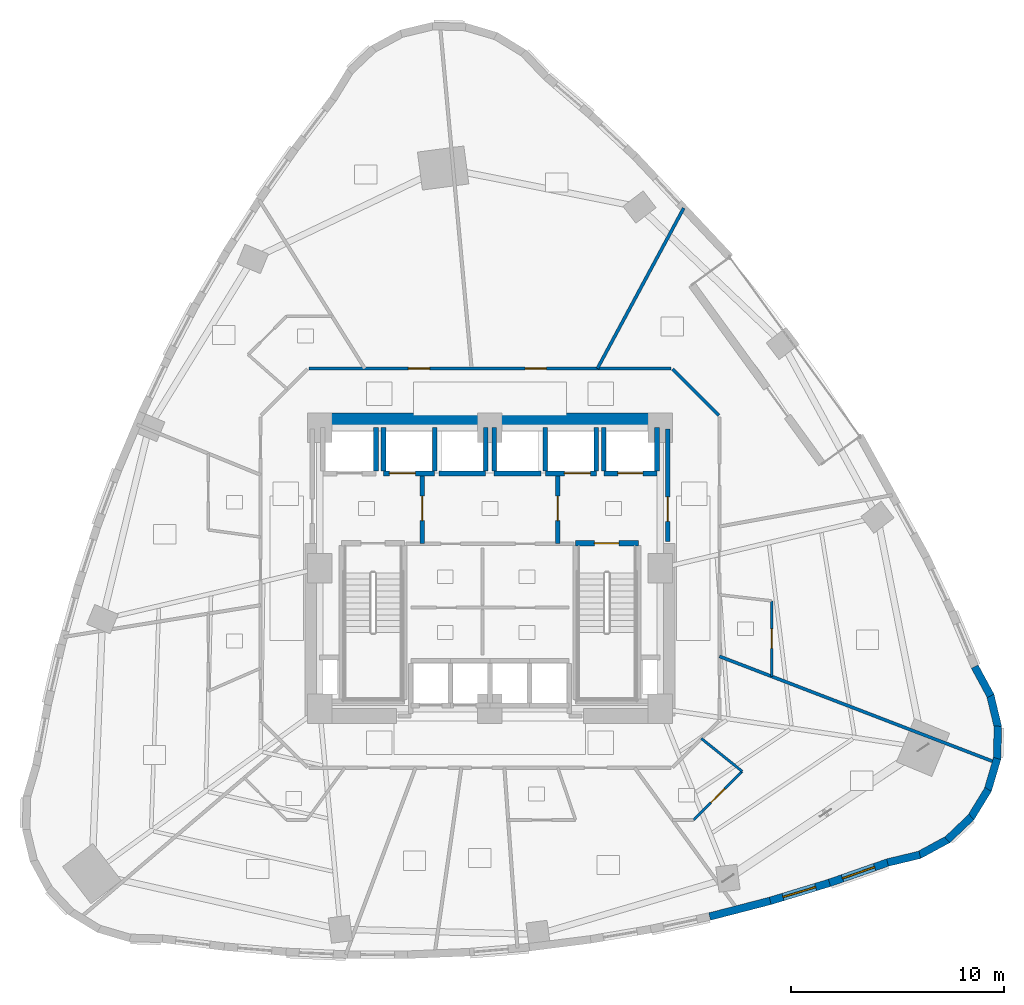
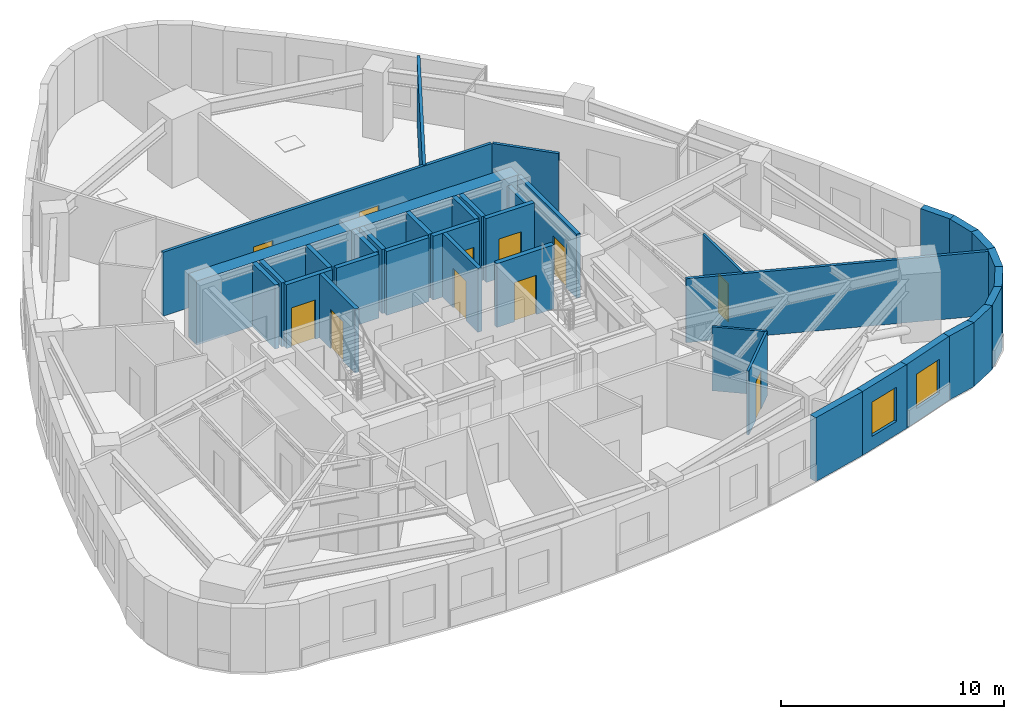
# One storey, part 11 of 15: 37 walls, 11 doors, 2 windows, 13 openings.
"""IFC4 building model written with IfcOpenShell, lengths in metres."""

import ifcopenshell
import ifcopenshell.guid

model = None  # the IFC model being written
_history = None  # IfcOwnerHistory: only IFC2X3 demands one
_inside = {}  # id of a spatial element -> (the spatial element, [elements in it])
_under = {}  # id of a project, library or spatial element -> (it, [spatial elements below it])
_declared = {}  # id of a project -> (the project, [libraries it declares])
_typed = {}  # id of a type object -> (the type object, [elements of that type])
_made_of = {}  # id of a material, layer set ... -> (it, [elements and type objects made of it])


def new_model(schema):
    """Start an empty IFC model of exactly this schema.

    Asked for "IFC4X3", IfcOpenShell would pick the latest addendum, in which some entities
    have other attributes; the version numbers below select the first issue.
    IFC2X3 requires an IfcOwnerHistory on every rooted entity: one is made here for all.
    """
    global model, _history
    if schema == "IFC4X3":
        model = ifcopenshell.file(schema_version=(4, 3, 0, 0))
    else:
        model = ifcopenshell.file(schema=schema)
    _inside.clear()
    _under.clear()
    _declared.clear()
    _typed.clear()
    _made_of.clear()
    _history = None
    if model.schema == "IFC2X3":
        org = make("IfcOrganization", Name="unknown")
        user = make(
            "IfcPersonAndOrganization",
            ThePerson=make("IfcPerson", FamilyName="unknown"),
            TheOrganization=org,
        )
        app = make(
            "IfcApplication",
            ApplicationDeveloper=org,
            Version="unknown",
            ApplicationFullName="unknown",
            ApplicationIdentifier="unknown",
        )
        _history = make(
            "IfcOwnerHistory",
            OwningUser=user,
            OwningApplication=app,
            ChangeAction="ADDED",
            CreationDate=0,
        )
    return model


def make(cls, **values):
    """One entity of the class cls with the attributes given. An attribute that is None is left unset."""
    return model.create_entity(
        cls, **{name: value for name, value in values.items() if value is not None}
    )


def rooted(cls, **values):
    """An entity with a GlobalId (a new one), such as an element, a storey or a relation."""
    return make(cls, GlobalId=ifcopenshell.guid.new(), OwnerHistory=_history, **values)


def si_unit(unit_type, name, prefix=None):
    """IfcSIUnit, for example si_unit("LENGTHUNIT", "METRE", prefix="MILLI")."""
    return make("IfcSIUnit", UnitType=unit_type, Prefix=prefix, Name=name)


def assignment(units):
    """IfcUnitAssignment: the units of a project."""
    return None if units is None else make("IfcUnitAssignment", Units=units)


def point(xyz):
    """IfcCartesianPoint."""
    return None if xyz is None else make("IfcCartesianPoint", Coordinates=xyz)


def direction(xyz):
    """IfcDirection."""
    return None if xyz is None else make("IfcDirection", DirectionRatios=xyz)


def frame(location, z_axis=None, x_axis=None):
    """IfcAxis2Placement3D, a coordinate frame: its origin and axes. An axis left out is left unset."""
    return make(
        "IfcAxis2Placement3D",
        Location=point(location),
        Axis=direction(z_axis),
        RefDirection=direction(x_axis),
    )


def frame_2d(location, x_axis=None):
    """IfcAxis2Placement2D, a coordinate frame in the plane: its origin and x axis."""
    return make(
        "IfcAxis2Placement2D", Location=point(location), RefDirection=direction(x_axis)
    )


def origin():
    """The frame at (0, 0, 0) with its axes left unset."""
    return frame((0.0, 0.0, 0.0))


def place(relative_to, where):
    """IfcLocalPlacement: puts the frame where relative to a parent placement (None: the world)."""
    return make(
        "IfcLocalPlacement", PlacementRelTo=relative_to, RelativePlacement=where
    )


def context(
    kind, dimensions, precision=None, world=None, true_north=None, identifier=None
):
    """IfcGeometricRepresentationContext, for example the 3D "Model" context."""
    return make(
        "IfcGeometricRepresentationContext",
        ContextIdentifier=identifier,
        ContextType=kind,
        CoordinateSpaceDimension=dimensions,
        Precision=precision,
        WorldCoordinateSystem=world,
        TrueNorth=true_north,
    )


def subcontext(parent, identifier, kind, view, scale=None):
    """IfcGeometricRepresentationSubContext, for example "Body" below "Model"."""
    return make(
        "IfcGeometricRepresentationSubContext",
        ContextIdentifier=identifier,
        ContextType=kind,
        ParentContext=parent,
        TargetScale=scale,
        TargetView=view,
    )


def project(units=None, contexts=None):
    """IfcProject with its units and contexts."""
    return rooted(
        "IfcProject",
        Name="project",
        RepresentationContexts=contexts,
        UnitsInContext=assignment(units),
    )


def spatial(cls, under=None, at=None, **own):
    """A site, building, storey or space (cls), placed at a placement, below another one or the project."""
    s = rooted(cls, ObjectPlacement=at, **own)
    if under is not None:
        _under.setdefault(under.id(), (under, []))[1].append(s)
    return s


def profile(cls, at=None, kind="AREA", **sizes):
    """A parametric profile (cls). Its sizes go by their IFC names, for example OverallWidth=200.0."""
    return make(cls, ProfileType=kind, Position=at, **sizes)


def rectangle(**sizes):
    """IfcRectangleProfileDef."""
    return profile("IfcRectangleProfileDef", **sizes)


def extrude(swept, where, along, depth):
    """IfcExtrudedAreaSolid: the profile swept, set in the frame where, extruded along a direction by depth."""
    return make(
        "IfcExtrudedAreaSolid",
        SweptArea=swept,
        Position=where,
        ExtrudedDirection=direction(along),
        Depth=depth,
    )


def shape(context_of_items, identifier, shape_type, items):
    """IfcShapeRepresentation: the items that make up one representation, for example the "Body"."""
    return make(
        "IfcShapeRepresentation",
        ContextOfItems=context_of_items,
        RepresentationIdentifier=identifier,
        RepresentationType=shape_type,
        Items=items,
    )


def material(Name=None, Category=None):
    """IfcMaterial."""
    return make("IfcMaterial", Name=Name, Category=Category)


def layer(
    of_material, thickness, ventilated=None, Name=None, Category=None, Priority=None
):
    """IfcMaterialLayer: one layer of a wall or slab, of a material (None: an air gap)."""
    return make(
        "IfcMaterialLayer",
        Material=of_material,
        LayerThickness=thickness,
        IsVentilated=ventilated,
        Name=Name,
        Category=Category,
        Priority=Priority,
    )


def layer_set(layers, Name=None):
    """IfcMaterialLayerSet."""
    return make("IfcMaterialLayerSet", MaterialLayers=layers, LayerSetName=Name)


def made_of(thing, what):
    """Note that an element or type object is made of a material, layer set ...; save() writes the relation."""
    if what is not None:
        _made_of.setdefault(what.id(), (what, []))[1].append(thing)
    return thing


def type_object(cls, material=None, **own):
    """A type object (cls), such as IfcWallType, which elements share."""
    return made_of(rooted(cls, **own), material)


def element(
    cls,
    number,
    at=None,
    inside=None,
    cuts=None,
    type_object=None,
    material=None,
    context=None,
    identifier="Body",
    shape_type=None,
    held_by="IfcProductDefinitionShape",
    body=None,
    shapes=None,
    **own,
):
    """One element of the class cls, such as IfcWall. Its Tag is "e" and its number.

    at: its placement. inside: the storey or other place that contains it. cuts: it is an
    opening in that element (IfcRelVoidsElement). A single representation is given by context,
    identifier, shape_type and body (its items); several are given by shapes. held_by: the class
    of the entity that holds the representations. save() writes the other relations.
    """
    e = rooted(cls, Tag="e%d" % number, ObjectPlacement=at, **own)
    if body is not None:
        shapes = [shape(context, identifier, shape_type, body)]
    if shapes is not None:
        e.Representation = make(held_by, Representations=shapes)
    if inside is not None:
        _inside.setdefault(inside.id(), (inside, []))[1].append(e)
    if cuts is not None:
        rooted(
            "IfcRelVoidsElement", RelatingBuildingElement=cuts, RelatedOpeningElement=e
        )
    if type_object is not None:
        _typed.setdefault(type_object.id(), (type_object, []))[1].append(e)
    return made_of(e, material)


def fill(opening, filler):
    """IfcRelFillsElement: the door or window that sits in an opening."""
    return rooted(
        "IfcRelFillsElement",
        RelatingOpeningElement=opening,
        RelatedBuildingElement=filler,
    )


def aggregate(whole, parts):
    """IfcRelAggregates: a whole, such as a stair, and the parts it consists of."""
    return rooted("IfcRelAggregates", RelatingObject=whole, RelatedObjects=parts)


def save(model, path):
    """Write the relations noted so far, then the file.

    IfcRelAggregates (storeys below a building ...), IfcRelContainedInSpatialStructure (elements
    in a storey), IfcRelDefinesByType, IfcRelAssociatesMaterial and IfcRelDeclares: one each for
    every whole, place, type object, material and project.
    """
    for whole, parts in _under.values():
        aggregate(whole, parts)
    for where, things in _inside.values():
        rooted(
            "IfcRelContainedInSpatialStructure",
            RelatedElements=things,
            RelatingStructure=where,
        )
    for kind, things in _typed.values():
        rooted("IfcRelDefinesByType", RelatedObjects=things, RelatingType=kind)
    for what, things in _made_of.values():
        rooted("IfcRelAssociatesMaterial", RelatedObjects=things, RelatingMaterial=what)
    for by, libraries in _declared.values():
        rooted("IfcRelDeclares", RelatingContext=by, RelatedDefinitions=libraries)
    model.write(path)


model = new_model("IFC4")

# Units and contexts
model_context = context("Model", 3, precision=1e-05, world=origin(), true_north=direction((0.0, 1.0)))
body_context = subcontext(model_context, "Body", "Model", "MODEL_VIEW")
ifc_project = project(units=[si_unit("LENGTHUNIT", "METRE"), si_unit("AREAUNIT", "SQUARE_METRE"), si_unit("VOLUMEUNIT", "CUBIC_METRE"), si_unit("PLANEANGLEUNIT", "RADIAN"), si_unit("MASSUNIT", "GRAM", prefix="KILO")], contexts=[model_context])

# Site, building, storey
site_placement = place(None, origin())
site = spatial("IfcSite", under=ifc_project, at=site_placement, CompositionType="ELEMENT")
building_placement = place(site_placement, origin())
building = spatial("IfcBuilding", under=site, at=building_placement, Name="Ndelora Gate Hotel", CompositionType="ELEMENT")
storey_placement = place(building_placement, frame((0.0, 0.0, 56.75)))
storey = spatial("IfcBuildingStorey", under=building, at=storey_placement, Name="L13", CompositionType="ELEMENT", Elevation=56.75)

# Wall
ifc_material_1 = material(Name="Clay Brick Masonry", Category="masonry")
ifc_layer_1 = layer(ifc_material_1, 0.360107421875)
ifc_layer_set_1 = layer_set([ifc_layer_1], Name="Clay Brick Masonry")
wall_type_1 = type_object("IfcWallType", Name="WL-BRICK-360", PredefinedType="SOLIDWALL", material=ifc_layer_set_1)
wall_1_placement = place(storey_placement, frame((13.1669921875, -15.631591796875, 0.0), z_axis=(0.0, 0.0, 1.0), x_axis=(-0.968087209766, -0.250613555675, 0.0)))
element("IfcWall", 1, at=wall_1_placement, inside=storey, type_object=wall_type_1, Name="L13 Tower Brick Pier-and-Spandrel Wall TWR-38", PredefinedType="SOLIDWALL", context=body_context, shape_type="SweptSolid", body=[
    extrude(rectangle(XDim=2.94091796875, YDim=0.360107421875, at=frame_2d((1.470458984375, 0.0))), origin(), (0.0, 0.0, 1.0), 3.5),
])

# Wall, opening, window
wall_2_placement = place(storey_placement, frame((15.952392578125, -14.784912109375, 0.0), z_axis=(0.0, 0.0, 1.0), x_axis=(-0.956863387773, -0.290538219758, 0.0)))
wall_2 = element("IfcWall", 2, at=wall_2_placement, inside=storey, type_object=wall_type_1, Name="L13 Tower Brick Pier-and-Spandrel Wall TWR-39", PredefinedType="SOLIDWALL", context=body_context, shape_type="SweptSolid", body=[
    extrude(rectangle(XDim=2.961181640625, YDim=0.360107421875, at=frame_2d((1.48046875, 0.0))), origin(), (0.0, 0.0, 1.0), 3.5),
])
opening_1_placement = place(wall_2_placement, frame((0.6806640625, 0.0, 0.719970703125)))
opening_1 = element("IfcOpeningElement", 3, at=opening_1_placement, cuts=wall_2, Name="Opening W01", PredefinedType="OPENING", context=body_context, shape_type="SweptSolid", body=[
    extrude(rectangle(XDim=1.60009765625, YDim=1.8798828125, at=frame_2d((0.800048828125, 0.93994140625))), frame((0.0, 0.18994140625, 0.0), z_axis=(0.0, -1.0, 0.0), x_axis=(1.0, 0.0, 0.0)), (0.0, 0.0, 1.0), 0.380126953125),
])
ifc_material_2 = material(Name="Insulated Low-E Double Glazing in Bronze Aluminium Frame", Category="aluminium")
window_type = type_object("IfcWindowType", Name="WN-DEEP-1600", PartitioningType="SINGLE_PANEL", PredefinedType="WINDOW", material=ifc_material_2)
window_1_placement = place(opening_1_placement, origin())
window_1 = element("IfcWindow", 4, at=window_1_placement, inside=storey, type_object=window_type, Name="L13 Deep-Set Brick-Pier Window W01", OverallHeight=1.8798828125, OverallWidth=1.60009765625, PartitioningType="SINGLE_PANEL", PredefinedType="WINDOW", context=body_context, shape_type="SweptSolid", body=[
    extrude(rectangle(XDim=1.60009765625, YDim=1.8798828125, at=frame_2d((0.800048828125, 0.93994140625))), frame((0.0, 0.030029296875, 0.0), z_axis=(0.0, -1.0, 0.0), x_axis=(1.0, 0.0, 0.0)), (0.0, 0.0, 1.0), 0.06005859375),
])
fill(opening_1, window_1)

wall_3_placement = place(storey_placement, frame((18.72509765625, -13.816650390625, 0.0), z_axis=(0.0, 0.0, 1.0), x_axis=(-0.944210822491, -0.329341650404, 0.0)))
wall_3 = element("IfcWall", 5, at=wall_3_placement, inside=storey, type_object=wall_type_1, Name="L13 Tower Brick Pier-and-Spandrel Wall TWR-40", PredefinedType="SOLIDWALL", context=body_context, shape_type="SweptSolid", body=[
    extrude(rectangle(XDim=2.986572265625, YDim=0.360107421875, at=frame_2d((1.4931640625, 0.0))), origin(), (0.0, 0.0, 1.0), 3.5),
])
opening_2_placement = place(wall_3_placement, frame((0.693603515625, 0.0, 0.719970703125)))
opening_2 = element("IfcOpeningElement", 6, at=opening_2_placement, cuts=wall_3, Name="Opening W01", PredefinedType="OPENING", context=body_context, shape_type="SweptSolid", body=[
    extrude(rectangle(XDim=1.60009765625, YDim=1.8798828125, at=frame_2d((0.800048828125, 0.93994140625))), frame((0.0, 0.18994140625, 0.0), z_axis=(0.0, -1.0, 0.0), x_axis=(1.0, 0.0, 0.0)), (0.0, 0.0, 1.0), 0.380126953125),
])
window_2_placement = place(opening_2_placement, origin())
window_2 = element("IfcWindow", 7, at=window_2_placement, inside=storey, type_object=window_type, Name="L13 Deep-Set Brick-Pier Window W01", OverallHeight=1.8798828125, OverallWidth=1.60009765625, PartitioningType="SINGLE_PANEL", PredefinedType="WINDOW", context=body_context, shape_type="SweptSolid", body=[
    extrude(rectangle(XDim=1.60009765625, YDim=1.8798828125, at=frame_2d((0.800048828125, 0.93994140625))), frame((0.0, 0.030029296875, 0.0), z_axis=(0.0, -1.0, 0.0), x_axis=(1.0, 0.0, 0.0)), (0.0, 0.0, 1.0), 0.06005859375),
])
fill(opening_2, window_2)

# Walls
for number, where, z_axis, x_axis, name in (
    (8, (20.1982421875, -13.465576171875, 0.0), (0.0, 0.0, 1.0), (-0.972394385461, -0.233343435998, 0.0), "L13 Tower Brick Pier-and-Spandrel Wall TWR-41"),
    (9, (21.526611328125, -12.737060546875, 0.0), (0.0, 0.0, 1.0), (-0.87890765181, -0.476991970153, 0.0), "L13 Tower Brick Pier-and-Spandrel Wall TWR-42"),
):
    element("IfcWall", number, at=place(storey_placement, frame(where, z_axis=z_axis, x_axis=x_axis)), inside=storey, type_object=wall_type_1, Name=name, PredefinedType="SOLIDWALL", context=body_context, shape_type="SweptSolid", body=[
        extrude(rectangle(XDim=1.564208984375, YDim=0.360107421875, at=frame_2d((0.7822265625, 0.0))), origin(), (0.0, 0.0, 1.0), 3.5),
    ])
for number, where, z_axis, x_axis, name in (
    (10, (22.620849609375, -11.689453125, 0.0), (0.0, 0.0, 1.0), (-0.725361771345, -0.688367852729, 0.0), "L13 Tower Brick Pier-and-Spandrel Wall TWR-43"),
    (11, (23.406982421875, -10.394287109375, 0.0), (0.0, 0.0, 1.0), (-0.522598660144, -0.852578817714, 0.0), "L13 Tower Brick Pier-and-Spandrel Wall TWR-44"),
):
    element("IfcWall", number, at=place(storey_placement, frame(where, z_axis=z_axis, x_axis=x_axis)), inside=storey, type_object=wall_type_1, Name=name, PredefinedType="SOLIDWALL", context=body_context, shape_type="SweptSolid", body=[
        extrude(rectangle(XDim=1.56396484375, YDim=0.360107421875, at=frame_2d((0.781982421875, 0.0))), origin(), (0.0, 0.0, 1.0), 3.5),
    ])
for number, where, z_axis, x_axis, name in (
    (12, (23.8310546875, -8.93994140625, 0.0), (0.0, 0.0, 1.0), (-0.284067072714, -0.958804410816, 0.0), "L13 Tower Brick Pier-and-Spandrel Wall TWR-45"),
    (13, (23.8642578125, -7.42529296875, 0.0), (0.0, 0.0, 1.0), (-0.026220490068, -0.999656183846, 0.0), "L13 Tower Brick Pier-and-Spandrel Wall TWR-46"),
    (14, (23.50439453125, -5.95361328125, 0.0), (0.0, 0.0, 1.0), (0.233343435998, -0.972394385461, 0.0), "L13 Tower Brick Pier-and-Spandrel Wall TWR-47"),
):
    element("IfcWall", number, at=place(storey_placement, frame(where, z_axis=z_axis, x_axis=x_axis)), inside=storey, type_object=wall_type_1, Name=name, PredefinedType="SOLIDWALL", context=body_context, shape_type="SweptSolid", body=[
        extrude(rectangle(XDim=1.564208984375, YDim=0.360107421875, at=frame_2d((0.7822265625, 0.0))), origin(), (0.0, 0.0, 1.0), 3.5),
    ])
wall_4_placement = place(storey_placement, frame((22.77587890625, -4.62548828125, 0.0), z_axis=(0.0, 0.0, 1.0), x_axis=(0.477057413098, -0.878872132115, 0.0)))
element("IfcWall", 15, at=wall_4_placement, inside=storey, type_object=wall_type_1, Name="L13 Tower Brick Pier-and-Spandrel Wall TWR-48", PredefinedType="SOLIDWALL", context=body_context, shape_type="SweptSolid", body=[
    extrude(rectangle(XDim=1.56396484375, YDim=0.360107421875, at=frame_2d((0.781982421875, 0.0))), origin(), (0.0, 0.0, 1.0), 3.5),
])
ifc_material_3 = material(Name="Concrete C60/75", Category="concrete")
ifc_layer_2 = layer(ifc_material_3, 0.699951171875)
ifc_layer_set_2 = layer_set([ifc_layer_2], Name="Concrete C60/75")
wall_type_2 = type_object("IfcWallType", Name="WL-CORE-700", PredefinedType="SHEAR", material=ifc_layer_set_2)
wall_5_placement = place(storey_placement, frame((-8.35009765625, 6.949951171875, 0.0), z_axis=(0.0, 0.0, 1.0), x_axis=(1.0, 0.0, 0.0)))
element("IfcWall", 16, at=wall_5_placement, inside=storey, type_object=wall_type_2, Name="L13 Core Shear Wall N", PredefinedType="SHEAR", context=body_context, shape_type="SweptSolid", body=[
    extrude(rectangle(XDim=16.7001953125, YDim=0.699951171875, at=frame_2d((8.35009765625, 0.0))), origin(), (0.0, 0.0, 1.0), 3.5),
])

# Wall, opening, door
ifc_material_4 = material(Name="Concrete C40/50", Category="concrete")
ifc_layer_3 = layer(ifc_material_4, 0.199951171875)
ifc_layer_set_3 = layer_set([ifc_layer_3], Name="Concrete C40/50")
wall_type_3 = type_object("IfcWallType", Name="WL-FIRE-200", PredefinedType="PARTITIONING", material=ifc_layer_set_3)
wall_6_placement = place(storey_placement, frame((-3.179931640625, 1.14990234375, 0.0), z_axis=(0.0, 0.0, 1.0), x_axis=(0.0, 1.0, 0.0)))
wall_6 = element("IfcWall", 17, at=wall_6_placement, inside=storey, type_object=wall_type_3, Name="L13 Interior Wall IW-2", PredefinedType="PARTITIONING", context=body_context, shape_type="SweptSolid", body=[
    extrude(rectangle(XDim=3.300048828125, YDim=0.199951171875, at=frame_2d((1.64990234375, 0.0))), origin(), (0.0, 0.0, 1.0), 3.5),
])
opening_3_placement = place(wall_6_placement, frame((1.080078125, 0.0, 0.0)))
opening_3 = element("IfcOpeningElement", 18, at=opening_3_placement, cuts=wall_6, Name="Opening FD1", PredefinedType="OPENING", context=body_context, shape_type="SweptSolid", body=[
    extrude(rectangle(XDim=1.14990234375, YDim=2.14990234375, at=frame_2d((0.574951171875, 1.074951171875))), frame((0.0, 0.10986328125, 0.0), z_axis=(0.0, -1.0, 0.0), x_axis=(1.0, 0.0, 0.0)), (0.0, 0.0, 1.0), 0.219970703125),
])
ifc_material_5 = material(Name="Fire-Rated Timber-Veneer Steel Core", Category="steel")
door_type_1 = type_object("IfcDoorType", Name="DR-FD60", OperationType="SINGLE_SWING_LEFT", PredefinedType="DOOR", material=ifc_material_5)
door_1_placement = place(opening_3_placement, origin())
door_1 = element("IfcDoor", 19, at=door_1_placement, inside=storey, type_object=door_type_1, Name="L13 Firefighting Lobby West Door", OperationType="SINGLE_SWING_RIGHT", OverallHeight=2.14990234375, OverallWidth=1.14990234375, PredefinedType="DOOR", context=body_context, shape_type="SweptSolid", body=[
    extrude(rectangle(XDim=1.14990234375, YDim=2.14990234375, at=frame_2d((0.574951171875, 1.074951171875))), frame((0.0, 0.02490234375, 0.0), z_axis=(0.0, -1.0, 0.0), x_axis=(1.0, 0.0, 0.0)), (0.0, 0.0, 1.0), 0.050048828125),
])
fill(opening_3, door_1)

wall_7_placement = place(storey_placement, frame((3.179931640625, 1.14990234375, 0.0), z_axis=(0.0, 0.0, 1.0), x_axis=(0.0, 1.0, 0.0)))
wall_7 = element("IfcWall", 20, at=wall_7_placement, inside=storey, type_object=wall_type_3, Name="L13 Interior Wall IW-2", PredefinedType="PARTITIONING", context=body_context, shape_type="SweptSolid", body=[
    extrude(rectangle(XDim=3.300048828125, YDim=0.199951171875, at=frame_2d((1.64990234375, 0.0))), origin(), (0.0, 0.0, 1.0), 3.5),
])
opening_4_placement = place(wall_7_placement, frame((1.080078125, 0.0, 0.0)))
opening_4 = element("IfcOpeningElement", 21, at=opening_4_placement, cuts=wall_7, Name="Opening FD1", PredefinedType="OPENING", context=body_context, shape_type="SweptSolid", body=[
    extrude(rectangle(XDim=1.14990234375, YDim=2.14990234375, at=frame_2d((0.574951171875, 1.074951171875))), frame((0.0, 0.10986328125, 0.0), z_axis=(0.0, -1.0, 0.0), x_axis=(1.0, 0.0, 0.0)), (0.0, 0.0, 1.0), 0.219970703125),
])
door_2_placement = place(opening_4_placement, origin())
door_2 = element("IfcDoor", 22, at=door_2_placement, inside=storey, type_object=door_type_1, Name="L13 Firefighting Lobby East Door", OperationType="SINGLE_SWING_LEFT", OverallHeight=2.14990234375, OverallWidth=1.14990234375, PredefinedType="DOOR", context=body_context, shape_type="SweptSolid", body=[
    extrude(rectangle(XDim=1.14990234375, YDim=2.14990234375, at=frame_2d((0.574951171875, 1.074951171875))), frame((0.0, 0.02490234375, 0.0), z_axis=(0.0, -1.0, 0.0), x_axis=(1.0, 0.0, 0.0)), (0.0, 0.0, 1.0), 0.050048828125),
])
fill(opening_4, door_2)

wall_8_placement = place(storey_placement, frame((8.35009765625, 1.25, 0.0), z_axis=(0.0, 0.0, 1.0), x_axis=(0.0, 1.0, 0.0)))
wall_8 = element("IfcWall", 23, at=wall_8_placement, inside=storey, type_object=wall_type_3, Name="L13 Interior Wall IW-2", PredefinedType="PARTITIONING", context=body_context, shape_type="SweptSolid", body=[
    extrude(rectangle(XDim=5.300048828125, YDim=0.199951171875, at=frame_2d((2.64990234375, 0.0))), origin(), (0.0, 0.0, 1.0), 3.5),
])
opening_5_placement = place(wall_8_placement, frame((0.949951171875, 0.0, 0.0)))
opening_5 = element("IfcOpeningElement", 24, at=opening_5_placement, cuts=wall_8, Name="Opening FD1", PredefinedType="OPENING", context=body_context, shape_type="SweptSolid", body=[
    extrude(rectangle(XDim=1.14990234375, YDim=2.14990234375, at=frame_2d((0.574951171875, 1.074951171875))), frame((0.0, 0.10986328125, 0.0), z_axis=(0.0, -1.0, 0.0), x_axis=(1.0, 0.0, 0.0)), (0.0, 0.0, 1.0), 0.219970703125),
])
door_3_placement = place(opening_5_placement, origin())
door_3 = element("IfcDoor", 25, at=door_3_placement, inside=storey, type_object=door_type_1, Name="L13 Firefighting Lobby East Corridor Door", OperationType="SINGLE_SWING_RIGHT", OverallHeight=2.14990234375, OverallWidth=1.14990234375, PredefinedType="DOOR", context=body_context, shape_type="SweptSolid", body=[
    extrude(rectangle(XDim=1.14990234375, YDim=2.14990234375, at=frame_2d((0.574951171875, 1.074951171875))), frame((0.0, 0.02490234375, 0.0), z_axis=(0.0, -1.0, 0.0), x_axis=(1.0, 0.0, 0.0)), (0.0, 0.0, 1.0), 0.050048828125),
])
fill(opening_5, door_3)

# Wall
ifc_material_6 = material(Name="Fire-Rated Gypsum Stud Partition", Category="gypsum")
ifc_layer_4 = layer(ifc_material_6, 0.14990234375)
ifc_layer_set_4 = layer_set([ifc_layer_4], Name="Fire-Rated Gypsum Stud Partition")
wall_type_4 = type_object("IfcWallType", Name="WL-PART-150", PredefinedType="PARTITIONING", material=ifc_layer_set_4)
wall_9_placement = place(storey_placement, frame((8.578369140625, 9.351806640625, 0.0), z_axis=(0.0, 0.0, 1.0), x_axis=(0.707067066127, -0.707146494016, 0.0)))
element("IfcWall", 26, at=wall_9_placement, inside=storey, type_object=wall_type_4, Name="L13 Interior Wall IW-5", PredefinedType="PARTITIONING", context=body_context, shape_type="SweptSolid", body=[
    extrude(rectangle(XDim=3.07373046875, YDim=0.14990234375, at=frame_2d((1.536865234375, 0.0))), origin(), (0.0, 0.0, 1.0), 3.5),
])

# Wall, openings, doors
wall_10_placement = place(storey_placement, frame((-8.510009765625, 9.3798828125, 0.0), z_axis=(0.0, 0.0, 1.0), x_axis=(1.0, 0.0, 0.0)))
wall_10 = element("IfcWall", 27, at=wall_10_placement, inside=storey, type_object=wall_type_4, Name="L13 Interior Wall IW-5", PredefinedType="PARTITIONING", context=body_context, shape_type="SweptSolid", body=[
    extrude(rectangle(XDim=17.02001953125, YDim=0.14990234375, at=frame_2d((8.510009765625, 0.0))), origin(), (0.0, 0.0, 1.0), 3.5),
])
opening_6_placement = place(wall_10_placement, frame((4.673583984375, 0.0, 0.0)))
opening_6 = element("IfcOpeningElement", 28, at=opening_6_placement, cuts=wall_10, Name="Opening D01", PredefinedType="OPENING", context=body_context, shape_type="SweptSolid", body=[
    extrude(rectangle(XDim=1.0, YDim=2.14990234375, at=frame_2d((0.5, 1.074951171875))), frame((0.0, 0.0849609375, 0.0), z_axis=(0.0, -1.0, 0.0), x_axis=(1.0, 0.0, 0.0)), (0.0, 0.0, 1.0), 0.169921875),
])
opening_7_placement = place(wall_10_placement, frame((10.1630859375, 0.0, 0.0)))
opening_7 = element("IfcOpeningElement", 29, at=opening_7_placement, cuts=wall_10, Name="Opening D01", PredefinedType="OPENING", context=body_context, shape_type="SweptSolid", body=[
    extrude(rectangle(XDim=1.0, YDim=2.14990234375, at=frame_2d((0.5, 1.074951171875))), frame((0.0, 0.0849609375, 0.0), z_axis=(0.0, -1.0, 0.0), x_axis=(1.0, 0.0, 0.0)), (0.0, 0.0, 1.0), 0.169921875),
])
ifc_material_7 = material(Name="Acoustic Hardwood Guest Entrance Door", Category="wood")
door_type_2 = type_object("IfcDoorType", Name="DR-COR-1000", OperationType="SINGLE_SWING_LEFT", PredefinedType="DOOR", material=ifc_material_7)
door_4_placement = place(opening_6_placement, origin())
door_4 = element("IfcDoor", 30, at=door_4_placement, inside=storey, type_object=door_type_2, Name="L13 Catering Service Kitchen Entrance Door", OperationType="SINGLE_SWING_LEFT", OverallHeight=2.14990234375, OverallWidth=1.0, PredefinedType="DOOR", context=body_context, shape_type="SweptSolid", body=[
    extrude(rectangle(XDim=1.0, YDim=2.14990234375, at=frame_2d((0.5, 1.074951171875))), frame((0.0, 0.02490234375, 0.0), z_axis=(0.0, -1.0, 0.0), x_axis=(1.0, 0.0, 0.0)), (0.0, 0.0, 1.0), 0.050048828125),
])
fill(opening_6, door_4)
door_5_placement = place(opening_7_placement, origin())
door_5 = element("IfcDoor", 31, at=door_5_placement, inside=storey, type_object=door_type_2, Name="L13 Private Dining Room Entrance Door", OperationType="SINGLE_SWING_LEFT", OverallHeight=2.14990234375, OverallWidth=1.0, PredefinedType="DOOR", context=body_context, shape_type="SweptSolid", body=[
    extrude(rectangle(XDim=1.0, YDim=2.14990234375, at=frame_2d((0.5, 1.074951171875))), frame((0.0, 0.02490234375, 0.0), z_axis=(0.0, -1.0, 0.0), x_axis=(1.0, 0.0, 0.0)), (0.0, 0.0, 1.0), 0.050048828125),
])
fill(opening_7, door_5)

# Walls
wall_11_placement = place(storey_placement, frame((10.780029296875, -4.14208984375, 0.0), z_axis=(0.0, 0.0, 1.0), x_axis=(0.933466701783, -0.358664072166, 0.0)))
element("IfcWall", 32, at=wall_11_placement, inside=storey, type_object=wall_type_4, Name="L13 Interior Wall IW-5", PredefinedType="PARTITIONING", context=body_context, shape_type="SweptSolid", body=[
    extrude(rectangle(XDim=13.91943359375, YDim=0.14990234375, at=frame_2d((6.959716796875, 0.0))), origin(), (0.0, 0.0, 1.0), 3.5),
])
wall_12_placement = place(storey_placement, frame((5.047607421875, 9.3798828125, 0.0), z_axis=(0.0, 0.0, 1.0), x_axis=(0.473842892952, 0.880609398541, 0.0)))
element("IfcWall", 33, at=wall_12_placement, inside=storey, type_object=wall_type_4, Name="L13 Interior Wall IW-5", PredefinedType="PARTITIONING", context=body_context, shape_type="SweptSolid", body=[
    extrude(rectangle(XDim=8.55712890625, YDim=0.14990234375, at=frame_2d((4.278564453125, 0.0))), origin(), (0.0, 0.0, 1.0), 3.5),
])
ifc_layer_5 = layer(ifc_material_4, 0.219970703125)
ifc_layer_set_5 = layer_set([ifc_layer_5], Name="Concrete C40/50")
wall_type_5 = type_object("IfcWallType", Name="WL-SHAFT-220", PredefinedType="PARTITIONING", material=ifc_layer_set_5)
wall_13_placement = place(storey_placement, frame((-5.35009765625, 4.570068359375, 0.0), z_axis=(0.0, 0.0, 1.0), x_axis=(0.0, 1.0, 0.0)))
element("IfcWall", 34, at=wall_13_placement, inside=storey, type_object=wall_type_5, Name="L13 Interior Wall IW-1", PredefinedType="PARTITIONING", context=body_context, shape_type="SweptSolid", body=[
    extrude(rectangle(XDim=2.030029296875, YDim=0.219970703125, at=frame_2d((1.01513671875, 0.0))), origin(), (0.0, 0.0, 1.0), 3.5),
])

# Wall, opening, door
wall_14_placement = place(storey_placement, frame((5.35009765625, 4.449951171875, 0.0), z_axis=(0.0, 0.0, 1.0), x_axis=(1.0, 0.0, 0.0)))
wall_14 = element("IfcWall", 35, at=wall_14_placement, inside=storey, type_object=wall_type_5, Name="L13 Interior Wall IW-1", PredefinedType="PARTITIONING", context=body_context, shape_type="SweptSolid", body=[
    extrude(rectangle(XDim=2.5, YDim=0.219970703125, at=frame_2d((1.25, 0.0))), origin(), (0.0, 0.0, 1.0), 3.5),
])
opening_8_placement = place(wall_14_placement, frame((0.659912109375, 0.0, 0.0)))
opening_8 = element("IfcOpeningElement", 36, at=opening_8_placement, cuts=wall_14, Name="Opening LD5", PredefinedType="OPENING", context=body_context, shape_type="SweptSolid", body=[
    extrude(rectangle(XDim=1.179931640625, YDim=2.14990234375, at=frame_2d((0.58984375, 1.074951171875))), frame((0.0, 0.1201171875, 0.0), z_axis=(0.0, -1.0, 0.0), x_axis=(1.0, 0.0, 0.0)), (0.0, 0.0, 1.0), 0.239990234375),
])
ifc_material_8 = material(Name="Firefighting Lift Stainless Sliding Landing Door", Category="metal")
door_type_3 = type_object("IfcDoorType", Name="DR-LD5", OperationType="DOUBLE_DOOR_SLIDING", PredefinedType="DOOR", material=ifc_material_8)
door_6_placement = place(opening_8_placement, origin())
door_6 = element("IfcDoor", 37, at=door_6_placement, inside=storey, type_object=door_type_3, Name="L13 Lift Landing Sliding Door FFL2", OperationType="DOUBLE_DOOR_SLIDING", OverallHeight=2.14990234375, OverallWidth=1.179931640625, PredefinedType="DOOR", context=body_context, shape_type="SweptSolid", body=[
    extrude(rectangle(XDim=1.179931640625, YDim=2.14990234375, at=frame_2d((0.58984375, 1.074951171875))), frame((0.0, 0.02490234375, 0.0), z_axis=(0.0, -1.0, 0.0), x_axis=(1.0, 0.0, 0.0)), (0.0, 0.0, 1.0), 0.050048828125),
])
fill(opening_8, door_6)

# Walls
wall_15_placement = place(storey_placement, frame((5.35009765625, 4.570068359375, 0.0), z_axis=(0.0, 0.0, 1.0), x_axis=(0.0, 1.0, 0.0)))
element("IfcWall", 38, at=wall_15_placement, inside=storey, type_object=wall_type_5, Name="L13 Interior Wall IW-1", PredefinedType="PARTITIONING", context=body_context, shape_type="SweptSolid", body=[
    extrude(rectangle(XDim=2.030029296875, YDim=0.219970703125, at=frame_2d((1.01513671875, 0.0))), origin(), (0.0, 0.0, 1.0), 3.5),
])
wall_16_placement = place(storey_placement, frame((7.85009765625, 4.570068359375, 0.0), z_axis=(0.0, 0.0, 1.0), x_axis=(0.0, 1.0, 0.0)))
element("IfcWall", 39, at=wall_16_placement, inside=storey, type_object=wall_type_5, Name="L13 Interior Wall IW-1", PredefinedType="PARTITIONING", context=body_context, shape_type="SweptSolid", body=[
    extrude(rectangle(XDim=2.030029296875, YDim=0.219970703125, at=frame_2d((1.01513671875, 0.0))), origin(), (0.0, 0.0, 1.0), 3.080078125),
])

# Wall, opening, door
wall_17_placement = place(storey_placement, frame((-5.0, 4.449951171875, 0.0), z_axis=(0.0, 0.0, 1.0), x_axis=(1.0, 0.0, 0.0)))
wall_17 = element("IfcWall", 40, at=wall_17_placement, inside=storey, type_object=wall_type_5, Name="L13 Interior Wall IW-1", PredefinedType="PARTITIONING", context=body_context, shape_type="SweptSolid", body=[
    extrude(rectangle(XDim=2.39990234375, YDim=0.219970703125, at=frame_2d((1.199951171875, 0.0))), origin(), (0.0, 0.0, 1.0), 3.5),
])
opening_9_placement = place(wall_17_placement, frame((0.280029296875, 0.0, 0.0)))
opening_9 = element("IfcOpeningElement", 41, at=opening_9_placement, cuts=wall_17, Name="Opening LD6", PredefinedType="OPENING", context=body_context, shape_type="SweptSolid", body=[
    extrude(rectangle(XDim=1.219970703125, YDim=2.14990234375, at=frame_2d((0.60986328125, 1.074951171875))), frame((0.0, 0.1201171875, 0.0), z_axis=(0.0, -1.0, 0.0), x_axis=(1.0, 0.0, 0.0)), (0.0, 0.0, 1.0), 0.239990234375),
])
ifc_material_9 = material(Name="Heavy-Duty Service Lift Sliding Landing Door", Category="wood")
door_type_4 = type_object("IfcDoorType", Name="DR-LD6", OperationType="DOUBLE_DOOR_SLIDING", PredefinedType="DOOR", material=ifc_material_9)
door_7_placement = place(opening_9_placement, origin())
door_7 = element("IfcDoor", 42, at=door_7_placement, inside=storey, type_object=door_type_4, Name="L13 Lift Landing Sliding Door SVL1", OperationType="DOUBLE_DOOR_SLIDING", OverallHeight=2.14990234375, OverallWidth=1.219970703125, PredefinedType="DOOR", context=body_context, shape_type="SweptSolid", body=[
    extrude(rectangle(XDim=1.219970703125, YDim=2.14990234375, at=frame_2d((0.60986328125, 1.074951171875))), frame((0.0, 0.02490234375, 0.0), z_axis=(0.0, -1.0, 0.0), x_axis=(1.0, 0.0, 0.0)), (0.0, 0.0, 1.0), 0.050048828125),
])
fill(opening_9, door_7)

# Walls
for number, where, z_axis, x_axis, name in (
    (43, (-5.0, 4.570068359375, 0.0), (0.0, 0.0, 1.0), (0.0, 1.0, 0.0), "L13 Interior Wall IW-1"),
    (44, (-2.60009765625, 4.570068359375, 0.0), (0.0, 0.0, 1.0), (0.0, 1.0, 0.0), "L13 Interior Wall IW-1"),
):
    element("IfcWall", number, at=place(storey_placement, frame(where, z_axis=z_axis, x_axis=x_axis)), inside=storey, type_object=wall_type_5, Name=name, PredefinedType="PARTITIONING", context=body_context, shape_type="SweptSolid", body=[
        extrude(rectangle(XDim=2.030029296875, YDim=0.219970703125, at=frame_2d((1.01513671875, 0.0))), origin(), (0.0, 0.0, 1.0), 3.5),
    ])

# Wall, opening, door
wall_18_placement = place(storey_placement, frame((2.60009765625, 4.449951171875, 0.0), z_axis=(0.0, 0.0, 1.0), x_axis=(1.0, 0.0, 0.0)))
wall_18 = element("IfcWall", 45, at=wall_18_placement, inside=storey, type_object=wall_type_5, Name="L13 Interior Wall IW-1", PredefinedType="PARTITIONING", context=body_context, shape_type="SweptSolid", body=[
    extrude(rectangle(XDim=2.39990234375, YDim=0.219970703125, at=frame_2d((1.199951171875, 0.0))), origin(), (0.0, 0.0, 1.0), 3.5),
])
opening_10_placement = place(wall_18_placement, frame((0.89990234375, 0.0, 0.0)))
opening_10 = element("IfcOpeningElement", 46, at=opening_10_placement, cuts=wall_18, Name="Opening LD6", PredefinedType="OPENING", context=body_context, shape_type="SweptSolid", body=[
    extrude(rectangle(XDim=1.219970703125, YDim=2.14990234375, at=frame_2d((0.60986328125, 1.074951171875))), frame((0.0, 0.1201171875, 0.0), z_axis=(0.0, -1.0, 0.0), x_axis=(1.0, 0.0, 0.0)), (0.0, 0.0, 1.0), 0.239990234375),
])
door_8_placement = place(opening_10_placement, origin())
door_8 = element("IfcDoor", 47, at=door_8_placement, inside=storey, type_object=door_type_4, Name="L13 Lift Landing Sliding Door SVL2", OperationType="DOUBLE_DOOR_SLIDING", OverallHeight=2.14990234375, OverallWidth=1.219970703125, PredefinedType="DOOR", context=body_context, shape_type="SweptSolid", body=[
    extrude(rectangle(XDim=1.219970703125, YDim=2.14990234375, at=frame_2d((0.60986328125, 1.074951171875))), frame((0.0, 0.02490234375, 0.0), z_axis=(0.0, -1.0, 0.0), x_axis=(1.0, 0.0, 0.0)), (0.0, 0.0, 1.0), 0.050048828125),
])
fill(opening_10, door_8)

# Walls
for number, where, z_axis, x_axis, name in (
    (48, (2.60009765625, 4.570068359375, 0.0), (0.0, 0.0, 1.0), (0.0, 1.0, 0.0), "L13 Interior Wall IW-1"),
    (49, (5.0, 4.570068359375, 0.0), (0.0, 0.0, 1.0), (0.0, 1.0, 0.0), "L13 Interior Wall IW-1"),
):
    element("IfcWall", number, at=place(storey_placement, frame(where, z_axis=z_axis, x_axis=x_axis)), inside=storey, type_object=wall_type_5, Name=name, PredefinedType="PARTITIONING", context=body_context, shape_type="SweptSolid", body=[
        extrude(rectangle(XDim=2.030029296875, YDim=0.219970703125, at=frame_2d((1.01513671875, 0.0))), origin(), (0.0, 0.0, 1.0), 3.5),
    ])
wall_19_placement = place(storey_placement, frame((-2.39990234375, 4.449951171875, 0.0), z_axis=(0.0, 0.0, 1.0), x_axis=(1.0, 0.0, 0.0)))
element("IfcWall", 50, at=wall_19_placement, inside=storey, type_object=wall_type_5, Name="L13 Interior Wall IW-1", PredefinedType="PARTITIONING", context=body_context, shape_type="SweptSolid", body=[
    extrude(rectangle(XDim=2.199951171875, YDim=0.219970703125, at=frame_2d((1.10009765625, 0.0))), origin(), (0.0, 0.0, 1.0), 3.5),
])
wall_20_placement = place(storey_placement, frame((-0.199951171875, 4.570068359375, 0.0), z_axis=(0.0, 0.0, 1.0), x_axis=(0.0, 1.0, 0.0)))
element("IfcWall", 51, at=wall_20_placement, inside=storey, type_object=wall_type_5, Name="L13 Interior Wall IW-1", PredefinedType="PARTITIONING", context=body_context, shape_type="SweptSolid", body=[
    extrude(rectangle(XDim=2.030029296875, YDim=0.219970703125, at=frame_2d((1.01513671875, 0.0))), origin(), (0.0, 0.0, 1.0), 3.5),
])
wall_21_placement = place(storey_placement, frame((0.199951171875, 4.449951171875, 0.0), z_axis=(0.0, 0.0, 1.0), x_axis=(1.0, 0.0, 0.0)))
element("IfcWall", 52, at=wall_21_placement, inside=storey, type_object=wall_type_5, Name="L13 Interior Wall IW-1", PredefinedType="PARTITIONING", context=body_context, shape_type="SweptSolid", body=[
    extrude(rectangle(XDim=2.199951171875, YDim=0.219970703125, at=frame_2d((1.10009765625, 0.0))), origin(), (0.0, 0.0, 1.0), 3.5),
])
wall_22_placement = place(storey_placement, frame((0.199951171875, 4.570068359375, 0.0), z_axis=(0.0, 0.0, 1.0), x_axis=(0.0, 1.0, 0.0)))
element("IfcWall", 53, at=wall_22_placement, inside=storey, type_object=wall_type_5, Name="L13 Interior Wall IW-1", PredefinedType="PARTITIONING", context=body_context, shape_type="SweptSolid", body=[
    extrude(rectangle(XDim=2.030029296875, YDim=0.219970703125, at=frame_2d((1.01513671875, 0.0))), origin(), (0.0, 0.0, 1.0), 3.5),
])

# Wall, opening, door
ifc_material_10 = material(Name="Concrete C50/60", Category="concrete")
ifc_layer_6 = layer(ifc_material_10, 0.239990234375)
ifc_layer_set_6 = layer_set([ifc_layer_6], Name="Concrete C50/60")
wall_type_6 = type_object("IfcWallType", Name="WL-STAIR-240", PredefinedType="SHEAR", material=ifc_layer_set_6)
wall_23_placement = place(storey_placement, frame((4.010009765625, 1.169921875, 0.0), z_axis=(0.0, 0.0, 1.0), x_axis=(1.0, 0.0, 0.0)))
wall_23 = element("IfcWall", 54, at=wall_23_placement, inside=storey, type_object=wall_type_6, Name="L13 Stair Core Shear Wall SW-ST", PredefinedType="SHEAR", context=body_context, shape_type="SweptSolid", body=[
    extrude(rectangle(XDim=2.9599609375, YDim=0.239990234375, at=frame_2d((1.47998046875, 0.0))), origin(), (0.0, 0.0, 1.0), 3.5),
])
opening_11_placement = place(wall_23_placement, frame((0.89990234375, 0.0, 0.0)))
opening_11 = element("IfcOpeningElement", 55, at=opening_11_placement, cuts=wall_23, Name="Opening FD1", PredefinedType="OPENING", context=body_context, shape_type="SweptSolid", body=[
    extrude(rectangle(XDim=1.14990234375, YDim=2.14990234375, at=frame_2d((0.574951171875, 1.074951171875))), frame((0.0, 0.1298828125, 0.0), z_axis=(0.0, -1.0, 0.0), x_axis=(1.0, 0.0, 0.0)), (0.0, 0.0, 1.0), 0.260009765625),
])
door_9_placement = place(opening_11_placement, origin())
door_9 = element("IfcDoor", 56, at=door_9_placement, inside=storey, type_object=door_type_1, Name="L13 Exit Stair ST5 Door", OperationType="SINGLE_SWING_RIGHT", OverallHeight=2.14990234375, OverallWidth=1.14990234375, PredefinedType="DOOR", context=body_context, shape_type="SweptSolid", body=[
    extrude(rectangle(XDim=1.14990234375, YDim=2.14990234375, at=frame_2d((0.574951171875, 1.074951171875))), frame((0.0, 0.02490234375, 0.0), z_axis=(0.0, -1.0, 0.0), x_axis=(1.0, 0.0, 0.0)), (0.0, 0.0, 1.0), 0.050048828125),
])
fill(opening_11, door_9)

# Wall
ifc_material_11 = material(Name="Moisture-Resistant Bathroom Tile Partition", Category="gypsum")
ifc_layer_7 = layer(ifc_material_11, 0.1201171875)
ifc_layer_set_7 = layer_set([ifc_layer_7], Name="Moisture-Resistant Bathroom Tile Partition")
wall_type_7 = type_object("IfcWallType", Name="WL-WET-120", PredefinedType="PARTITIONING", material=ifc_layer_set_7)
wall_24_placement = place(storey_placement, frame((9.93017578125, -8.0, 0.0), z_axis=(0.0, 0.0, 1.0), x_axis=(0.778737774775, -0.627349566142, 0.0)))
element("IfcWall", 57, at=wall_24_placement, inside=storey, type_object=wall_type_7, Name="L13 Interior Wall IW-7", PredefinedType="PARTITIONING", context=body_context, shape_type="SweptSolid", body=[
    extrude(rectangle(XDim=2.464111328125, YDim=0.1201171875, at=frame_2d((1.23193359375, 0.0))), origin(), (0.0, 0.0, 1.0), 3.5),
])

# Wall, opening, door
wall_25_placement = place(storey_placement, frame((11.84912109375, -9.5458984375, 0.0), z_axis=(0.0, 0.0, 1.0), x_axis=(-0.707144567105, -0.707068993249, 0.0)))
wall_25 = element("IfcWall", 58, at=wall_25_placement, inside=storey, type_object=wall_type_7, Name="L13 Interior Wall IW-7", PredefinedType="PARTITIONING", context=body_context, shape_type="SweptSolid", body=[
    extrude(rectangle(XDim=3.23046875, YDim=0.1201171875, at=frame_2d((1.615234375, 0.0))), origin(), (0.0, 0.0, 1.0), 3.5),
])
opening_12_placement = place(wall_25_placement, frame((1.1552734375, 0.0, 0.0)))
opening_12 = element("IfcOpeningElement", 59, at=opening_12_placement, cuts=wall_25, Name="Opening D03", PredefinedType="OPENING", context=body_context, shape_type="SweptSolid", body=[
    extrude(rectangle(XDim=0.919921875, YDim=2.10009765625, at=frame_2d((0.4599609375, 1.050048828125))), frame((0.0, 0.070068359375, 0.0), z_axis=(0.0, -1.0, 0.0), x_axis=(1.0, 0.0, 0.0)), (0.0, 0.0, 1.0), 0.14013671875),
])
ifc_material_12 = material(Name="Moisture-Resistant Hardwood En-Suite Door", Category="wood")
door_type_5 = type_object("IfcDoorType", Name="DR-BATH-920", OperationType="SINGLE_SWING_LEFT", PredefinedType="DOOR", material=ifc_material_12)
door_10_placement = place(opening_12_placement, origin())
door_10 = element("IfcDoor", 60, at=door_10_placement, inside=storey, type_object=door_type_5, Name="L13 En-suite Bathroom 1602 Door", OperationType="SINGLE_SWING_LEFT", OverallHeight=2.10009765625, OverallWidth=0.919921875, PredefinedType="DOOR", context=body_context, shape_type="SweptSolid", body=[
    extrude(rectangle(XDim=0.919921875, YDim=2.10009765625, at=frame_2d((0.4599609375, 1.050048828125))), frame((0.0, 0.02490234375, 0.0), z_axis=(0.0, -1.0, 0.0), x_axis=(1.0, 0.0, 0.0)), (0.0, 0.0, 1.0), 0.050048828125),
])
fill(opening_12, door_10)

wall_26_placement = place(storey_placement, frame((13.22998046875, -1.53515625, 0.0), z_axis=(0.0, 0.0, 1.0), x_axis=(0.0, -1.0, 0.0)))
wall_26 = element("IfcWall", 61, at=wall_26_placement, inside=storey, type_object=wall_type_7, Name="L13 Interior Wall IW-7", PredefinedType="PARTITIONING", context=body_context, shape_type="SweptSolid", body=[
    extrude(rectangle(XDim=3.54833984375, YDim=0.1201171875, at=frame_2d((1.774169921875, 0.0))), origin(), (0.0, 0.0, 1.0), 3.5),
])
opening_13_placement = place(wall_26_placement, frame((1.314208984375, 0.0, 0.0)))
opening_13 = element("IfcOpeningElement", 62, at=opening_13_placement, cuts=wall_26, Name="Opening D03", PredefinedType="OPENING", context=body_context, shape_type="SweptSolid", body=[
    extrude(rectangle(XDim=0.919921875, YDim=2.10009765625, at=frame_2d((0.4599609375, 1.050048828125))), frame((0.0, 0.070068359375, 0.0), z_axis=(0.0, -1.0, 0.0), x_axis=(1.0, 0.0, 0.0)), (0.0, 0.0, 1.0), 0.14013671875),
])
door_11_placement = place(opening_13_placement, origin())
door_11 = element("IfcDoor", 63, at=door_11_placement, inside=storey, type_object=door_type_5, Name="L13 En-suite Bathroom 1603 Door", OperationType="SINGLE_SWING_RIGHT", OverallHeight=2.10009765625, OverallWidth=0.919921875, PredefinedType="DOOR", context=body_context, shape_type="SweptSolid", body=[
    extrude(rectangle(XDim=0.919921875, YDim=2.10009765625, at=frame_2d((0.4599609375, 1.050048828125))), frame((0.0, 0.02490234375, 0.0), z_axis=(0.0, -1.0, 0.0), x_axis=(1.0, 0.0, 0.0)), (0.0, 0.0, 1.0), 0.050048828125),
])
fill(opening_13, door_11)

save(model, "model.ifc")
